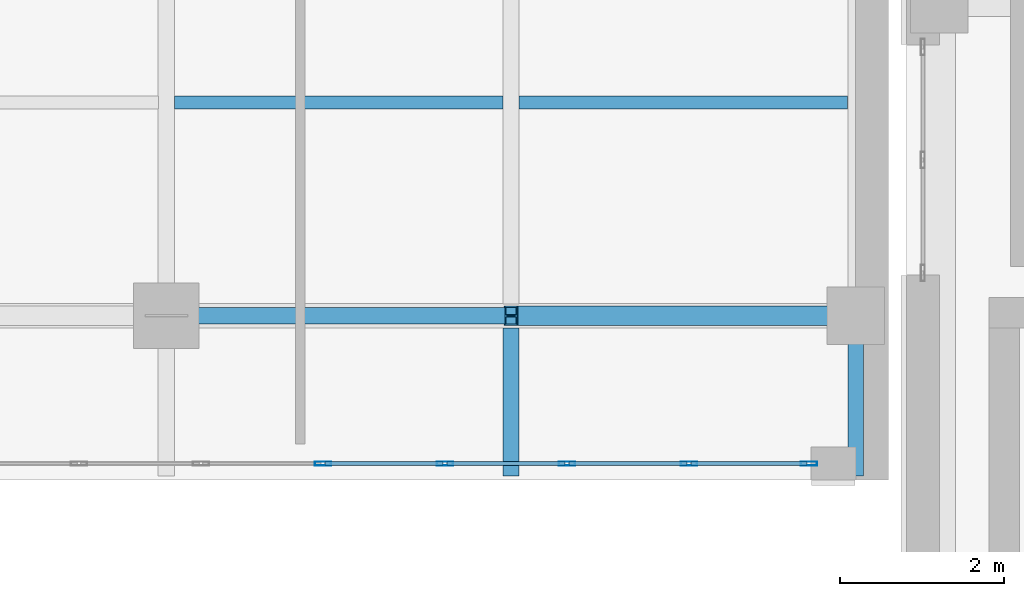
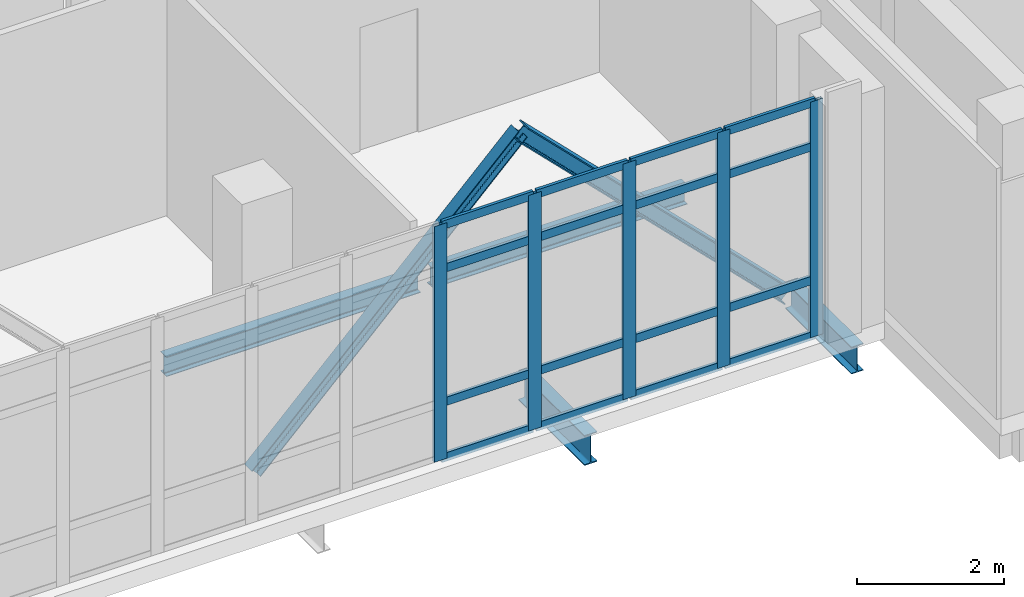
# One storey, part 7 of 158: 23 members, 4 beams, 1 element without a shape of its own.
"""IFC4 building model written with IfcOpenShell, lengths in metres."""

from ifc_helpers import new_model, si_unit, direction, frame, origin, origin_2d, place, context, subcontext, project, spatial, hollow_rectangle, i_section, extrude, material, layer, layer_set, material_profile, profile_set, type_object, element, aggregate, save


model = new_model("IFC4")

# Units and contexts
model_context = context("Model", 3, precision=1e-05, world=origin(), true_north=direction((0.0, 1.0)))
body_context = subcontext(model_context, "Body", "Model", "MODEL_VIEW")
ifc_project = project(units=[si_unit("LENGTHUNIT", "METRE"), si_unit("AREAUNIT", "SQUARE_METRE"), si_unit("VOLUMEUNIT", "CUBIC_METRE"), si_unit("PLANEANGLEUNIT", "RADIAN"), si_unit("MASSUNIT", "GRAM", prefix="KILO")], contexts=[model_context])

# Site, building, storey
site_placement = place(None, origin())
site = spatial("IfcSite", under=ifc_project, at=site_placement, CompositionType="ELEMENT")
building_placement = place(site_placement, origin())
building = spatial("IfcBuilding", under=site, at=building_placement, Name="Qalavern Law Courts", CompositionType="ELEMENT")
storey_placement = place(building_placement, frame((0.0, 0.0, 18.60009765625)))
storey = spatial("IfcBuildingStorey", under=building, at=storey_placement, Name="L04", CompositionType="ELEMENT", Elevation=18.60009765625)

# Curtain wall, members
ifc_material_1 = material(Name="Anodised aluminium and insulated glazing", Category="aluminium")
ifc_layer = layer(ifc_material_1, 0.199951171875)
ifc_layer_set = layer_set([ifc_layer], Name="Anodised aluminium and insulated glazing")
curtain_wall_type = type_object("IfcCurtainWallType", Name="ENV-CW-FOYER", PredefinedType="USERDEFINED", material=ifc_layer_set)
curtain_wall_placement = place(storey_placement, origin())
curtain_wall = element("IfcCurtainWall", 1, at=curtain_wall_placement, inside=storey, type_object=curtain_wall_type, Name="V1 unitised curtain wall L04 south 1", ObjectType="UNITISED CURTAIN WALL", PredefinedType="USERDEFINED")
ifc_material_2 = material(Name="Anodised aluminium", Category="aluminium")
ifc_material_profile_1 = material_profile(ifc_material_2, hollow_rectangle(XDim=0.048095703125, YDim=0.199951171875, WallThickness=0.00439453125, at=origin_2d()), Name="ALU MULLION 48x200")
ifc_profile_set_1 = profile_set([ifc_material_profile_1], Name="Anodised aluminium")
member_type_1 = type_object("IfcMemberType", Name="ENV-CWM-48x200", PredefinedType="MULLION", material=ifc_profile_set_1)
member_1_placement = place(storey_placement, frame((27.1083984375, 8.199951171875, 0.0), z_axis=(0.0, 0.0, 1.0), x_axis=(0.0, 1.0, 0.0)))
member_1 = element("IfcMember", 2, at=member_1_placement, type_object=member_type_1, Name="CW-01 mullion 15", PredefinedType="MULLION", context=body_context, shape_type="SweptSolid", body=[
    extrude(hollow_rectangle(XDim=0.048095703125, YDim=0.199951171875, WallThickness=0.00439453125, at=origin_2d()), origin(), (0.0, 0.0, 1.0), 3.9248046875),
])
member_2_placement = place(storey_placement, frame((28.594970703125, 8.199951171875, 0.0), z_axis=(0.0, 0.0, 1.0), x_axis=(0.0, 1.0, 0.0)))
member_2 = element("IfcMember", 3, at=member_2_placement, type_object=member_type_1, Name="CW-01 mullion 16", PredefinedType="MULLION", context=body_context, shape_type="SweptSolid", body=[
    extrude(hollow_rectangle(XDim=0.048095703125, YDim=0.199951171875, WallThickness=0.00439453125, at=origin_2d()), origin(), (0.0, 0.0, 1.0), 3.9248046875),
])
member_3_placement = place(storey_placement, frame((30.081787109375, 8.199951171875, 0.0), z_axis=(0.0, 0.0, 1.0), x_axis=(0.0, 1.0, 0.0)))
member_3 = element("IfcMember", 4, at=member_3_placement, type_object=member_type_1, Name="CW-01 mullion 17", PredefinedType="MULLION", context=body_context, shape_type="SweptSolid", body=[
    extrude(hollow_rectangle(XDim=0.048095703125, YDim=0.199951171875, WallThickness=0.00439453125, at=origin_2d()), origin(), (0.0, 0.0, 1.0), 3.9248046875),
])
member_4_placement = place(storey_placement, frame((31.568359375, 8.199951171875, 0.0), z_axis=(0.0, 0.0, 1.0), x_axis=(0.0, 1.0, 0.0)))
member_4 = element("IfcMember", 5, at=member_4_placement, type_object=member_type_1, Name="CW-01 mullion 18", PredefinedType="MULLION", context=body_context, shape_type="SweptSolid", body=[
    extrude(hollow_rectangle(XDim=0.048095703125, YDim=0.199951171875, WallThickness=0.00439453125, at=origin_2d()), origin(), (0.0, 0.0, 1.0), 3.9248046875),
])
member_5_placement = place(storey_placement, frame((33.031005859375, 8.199951171875, 0.0), z_axis=(0.0, 0.0, 1.0), x_axis=(0.0, 1.0, 0.0)))
member_5 = element("IfcMember", 6, at=member_5_placement, type_object=member_type_1, Name="CW-01 mullion 19", PredefinedType="MULLION", context=body_context, shape_type="SweptSolid", body=[
    extrude(hollow_rectangle(XDim=0.048095703125, YDim=0.199951171875, WallThickness=0.00439453125, at=origin_2d()), origin(), (0.0, 0.0, 1.0), 3.9248046875),
])
ifc_material_profile_2 = material_profile(ifc_material_2, hollow_rectangle(XDim=0.048095703125, YDim=0.139892578125, WallThickness=0.00390625, at=origin_2d()), Name="ALU TRANSOM 48x140")
ifc_profile_set_2 = profile_set([ifc_material_profile_2], Name="Anodised aluminium")
member_type_2 = type_object("IfcMemberType", Name="ENV-CWT-48x140", PredefinedType="USERDEFINED", material=ifc_profile_set_2)
member_6_placement = place(storey_placement, frame((27.13232421875, 8.199951171875, 0.02392578125), z_axis=(1.0, 0.0, 0.0), x_axis=(0.0, 1.0, 0.0)))
member_6 = element("IfcMember", 7, at=member_6_placement, type_object=member_type_2, Name="CW-01 transom 15.1", ObjectType="TRANSOM", PredefinedType="USERDEFINED", context=body_context, shape_type="SweptSolid", body=[
    extrude(hollow_rectangle(XDim=0.048095703125, YDim=0.139892578125, WallThickness=0.00390625, at=origin_2d()), origin(), (0.0, 0.0, 1.0), 1.438720703125),
])
member_7_placement = place(storey_placement, frame((27.13232421875, 8.199951171875, 0.949951171875), z_axis=(1.0, 0.0, 0.0), x_axis=(0.0, 1.0, 0.0)))
member_7 = element("IfcMember", 8, at=member_7_placement, type_object=member_type_2, Name="CW-01 transom 15.2", ObjectType="TRANSOM", PredefinedType="USERDEFINED", context=body_context, shape_type="SweptSolid", body=[
    extrude(hollow_rectangle(XDim=0.048095703125, YDim=0.139892578125, WallThickness=0.00390625, at=origin_2d()), origin(), (0.0, 0.0, 1.0), 1.438720703125),
])
member_8_placement = place(storey_placement, frame((27.13232421875, 8.199951171875, 3.1748046875), z_axis=(1.0, 0.0, 0.0), x_axis=(0.0, 1.0, 0.0)))
member_8 = element("IfcMember", 9, at=member_8_placement, type_object=member_type_2, Name="CW-01 transom 15.3", ObjectType="TRANSOM", PredefinedType="USERDEFINED", context=body_context, shape_type="SweptSolid", body=[
    extrude(hollow_rectangle(XDim=0.048095703125, YDim=0.139892578125, WallThickness=0.00390625, at=origin_2d()), origin(), (0.0, 0.0, 1.0), 1.438720703125),
])
member_9_placement = place(storey_placement, frame((27.13232421875, 8.199951171875, 3.90087890625), z_axis=(1.0, 0.0, 0.0), x_axis=(0.0, 1.0, 0.0)))
member_9 = element("IfcMember", 10, at=member_9_placement, type_object=member_type_2, Name="CW-01 transom 15.4", ObjectType="TRANSOM", PredefinedType="USERDEFINED", context=body_context, shape_type="SweptSolid", body=[
    extrude(hollow_rectangle(XDim=0.048095703125, YDim=0.139892578125, WallThickness=0.00390625, at=origin_2d()), origin(), (0.0, 0.0, 1.0), 1.438720703125),
])
member_10_placement = place(storey_placement, frame((28.618896484375, 8.199951171875, 0.02392578125), z_axis=(1.0, 0.0, 0.0), x_axis=(0.0, 1.0, 0.0)))
member_10 = element("IfcMember", 11, at=member_10_placement, type_object=member_type_2, Name="CW-01 transom 16.1", ObjectType="TRANSOM", PredefinedType="USERDEFINED", context=body_context, shape_type="SweptSolid", body=[
    extrude(hollow_rectangle(XDim=0.048095703125, YDim=0.139892578125, WallThickness=0.00390625, at=origin_2d()), origin(), (0.0, 0.0, 1.0), 1.438720703125),
])
member_11_placement = place(storey_placement, frame((28.618896484375, 8.199951171875, 0.949951171875), z_axis=(1.0, 0.0, 0.0), x_axis=(0.0, 1.0, 0.0)))
member_11 = element("IfcMember", 12, at=member_11_placement, type_object=member_type_2, Name="CW-01 transom 16.2", ObjectType="TRANSOM", PredefinedType="USERDEFINED", context=body_context, shape_type="SweptSolid", body=[
    extrude(hollow_rectangle(XDim=0.048095703125, YDim=0.139892578125, WallThickness=0.00390625, at=origin_2d()), origin(), (0.0, 0.0, 1.0), 1.438720703125),
])
member_12_placement = place(storey_placement, frame((28.618896484375, 8.199951171875, 3.1748046875), z_axis=(1.0, 0.0, 0.0), x_axis=(0.0, 1.0, 0.0)))
member_12 = element("IfcMember", 13, at=member_12_placement, type_object=member_type_2, Name="CW-01 transom 16.3", ObjectType="TRANSOM", PredefinedType="USERDEFINED", context=body_context, shape_type="SweptSolid", body=[
    extrude(hollow_rectangle(XDim=0.048095703125, YDim=0.139892578125, WallThickness=0.00390625, at=origin_2d()), origin(), (0.0, 0.0, 1.0), 1.438720703125),
])
member_13_placement = place(storey_placement, frame((28.618896484375, 8.199951171875, 3.90087890625), z_axis=(1.0, 0.0, 0.0), x_axis=(0.0, 1.0, 0.0)))
member_13 = element("IfcMember", 14, at=member_13_placement, type_object=member_type_2, Name="CW-01 transom 16.4", ObjectType="TRANSOM", PredefinedType="USERDEFINED", context=body_context, shape_type="SweptSolid", body=[
    extrude(hollow_rectangle(XDim=0.048095703125, YDim=0.139892578125, WallThickness=0.00390625, at=origin_2d()), origin(), (0.0, 0.0, 1.0), 1.438720703125),
])
member_14_placement = place(storey_placement, frame((30.105712890625, 8.199951171875, 0.02392578125), z_axis=(1.0, 0.0, 0.0), x_axis=(0.0, 1.0, 0.0)))
member_14 = element("IfcMember", 15, at=member_14_placement, type_object=member_type_2, Name="CW-01 transom 17.1", ObjectType="TRANSOM", PredefinedType="USERDEFINED", context=body_context, shape_type="SweptSolid", body=[
    extrude(hollow_rectangle(XDim=0.048095703125, YDim=0.139892578125, WallThickness=0.00390625, at=origin_2d()), origin(), (0.0, 0.0, 1.0), 1.438720703125),
])
member_15_placement = place(storey_placement, frame((30.105712890625, 8.199951171875, 0.949951171875), z_axis=(1.0, 0.0, 0.0), x_axis=(0.0, 1.0, 0.0)))
member_15 = element("IfcMember", 16, at=member_15_placement, type_object=member_type_2, Name="CW-01 transom 17.2", ObjectType="TRANSOM", PredefinedType="USERDEFINED", context=body_context, shape_type="SweptSolid", body=[
    extrude(hollow_rectangle(XDim=0.048095703125, YDim=0.139892578125, WallThickness=0.00390625, at=origin_2d()), origin(), (0.0, 0.0, 1.0), 1.438720703125),
])
member_16_placement = place(storey_placement, frame((30.105712890625, 8.199951171875, 3.1748046875), z_axis=(1.0, 0.0, 0.0), x_axis=(0.0, 1.0, 0.0)))
member_16 = element("IfcMember", 17, at=member_16_placement, type_object=member_type_2, Name="CW-01 transom 17.3", ObjectType="TRANSOM", PredefinedType="USERDEFINED", context=body_context, shape_type="SweptSolid", body=[
    extrude(hollow_rectangle(XDim=0.048095703125, YDim=0.139892578125, WallThickness=0.00390625, at=origin_2d()), origin(), (0.0, 0.0, 1.0), 1.438720703125),
])
member_17_placement = place(storey_placement, frame((30.105712890625, 8.199951171875, 3.90087890625), z_axis=(1.0, 0.0, 0.0), x_axis=(0.0, 1.0, 0.0)))
member_17 = element("IfcMember", 18, at=member_17_placement, type_object=member_type_2, Name="CW-01 transom 17.4", ObjectType="TRANSOM", PredefinedType="USERDEFINED", context=body_context, shape_type="SweptSolid", body=[
    extrude(hollow_rectangle(XDim=0.048095703125, YDim=0.139892578125, WallThickness=0.00390625, at=origin_2d()), origin(), (0.0, 0.0, 1.0), 1.438720703125),
])
member_18_placement = place(storey_placement, frame((31.59228515625, 8.199951171875, 0.02392578125), z_axis=(1.0, 0.0, 0.0), x_axis=(0.0, 1.0, 0.0)))
member_18 = element("IfcMember", 19, at=member_18_placement, type_object=member_type_2, Name="CW-01 transom 18.1", ObjectType="TRANSOM", PredefinedType="USERDEFINED", context=body_context, shape_type="SweptSolid", body=[
    extrude(hollow_rectangle(XDim=0.048095703125, YDim=0.139892578125, WallThickness=0.00390625, at=origin_2d()), origin(), (0.0, 0.0, 1.0), 1.414794921875),
])
member_19_placement = place(storey_placement, frame((31.59228515625, 8.199951171875, 0.949951171875), z_axis=(1.0, 0.0, 0.0), x_axis=(0.0, 1.0, 0.0)))
member_19 = element("IfcMember", 20, at=member_19_placement, type_object=member_type_2, Name="CW-01 transom 18.2", ObjectType="TRANSOM", PredefinedType="USERDEFINED", context=body_context, shape_type="SweptSolid", body=[
    extrude(hollow_rectangle(XDim=0.048095703125, YDim=0.139892578125, WallThickness=0.00390625, at=origin_2d()), origin(), (0.0, 0.0, 1.0), 1.414794921875),
])
member_20_placement = place(storey_placement, frame((31.59228515625, 8.199951171875, 3.1748046875), z_axis=(1.0, 0.0, 0.0), x_axis=(0.0, 1.0, 0.0)))
member_20 = element("IfcMember", 21, at=member_20_placement, type_object=member_type_2, Name="CW-01 transom 18.3", ObjectType="TRANSOM", PredefinedType="USERDEFINED", context=body_context, shape_type="SweptSolid", body=[
    extrude(hollow_rectangle(XDim=0.048095703125, YDim=0.139892578125, WallThickness=0.00390625, at=origin_2d()), origin(), (0.0, 0.0, 1.0), 1.414794921875),
])
member_21_placement = place(storey_placement, frame((31.59228515625, 8.199951171875, 3.90087890625), z_axis=(1.0, 0.0, 0.0), x_axis=(0.0, 1.0, 0.0)))
member_21 = element("IfcMember", 22, at=member_21_placement, type_object=member_type_2, Name="CW-01 transom 18.4", ObjectType="TRANSOM", PredefinedType="USERDEFINED", context=body_context, shape_type="SweptSolid", body=[
    extrude(hollow_rectangle(XDim=0.048095703125, YDim=0.139892578125, WallThickness=0.00390625, at=origin_2d()), origin(), (0.0, 0.0, 1.0), 1.414794921875),
])
aggregate(curtain_wall, [member_1, member_2, member_3, member_4, member_5, member_6, member_7, member_8, member_9, member_10, member_11, member_12, member_13, member_14, member_15, member_16, member_17, member_18, member_19, member_20, member_21])

# Beam
ifc_material_3 = material(Name="Steel S355", Category="steel")
ifc_material_profile_3 = material_profile(ifc_material_3, i_section(OverallWidth=0.199951171875, OverallDepth=0.5, WebThickness=0.01025390625, FlangeThickness=0.01611328125, FilletRadius=0.02099609375, at=origin_2d()), Name="IPE 500")
ifc_profile_set_3 = profile_set([ifc_material_profile_3], Name="Steel S355")
beam_type_1 = type_object("IfcBeamType", Name="STR-BM-IPE500", PredefinedType="BEAM", material=ifc_profile_set_3)
beam_1_placement = place(storey_placement, frame((29.39990234375, 8.050048828125, -0.530029296875), z_axis=(0.0, 1.0, 0.0), x_axis=(-1.0, 0.0, 0.0)))
element("IfcBeam", 23, at=beam_1_placement, inside=storey, type_object=beam_type_1, Name="Foyer transverse beam L04-2.1", PredefinedType="BEAM", context=body_context, shape_type="SweptSolid", body=[
    extrude(i_section(OverallWidth=0.199951171875, OverallDepth=0.5, WebThickness=0.01025390625, FlangeThickness=0.01611328125, FilletRadius=0.02099609375, at=origin_2d()), origin(), (0.0, 0.0, 1.0), 1.802001953125),
])

# Members
ifc_material_profile_4 = material_profile(ifc_material_3, i_section(OverallWidth=0.199951171875, OverallDepth=0.199951171875, WebThickness=0.009033203125, FlangeThickness=0.014892578125, FilletRadius=0.01806640625, at=origin_2d()), Name="HEB 200")
ifc_profile_set_4 = profile_set([ifc_material_profile_4], Name="Steel S355")
member_type_3 = type_object("IfcMemberType", Name="STR-BR-HEB200", PredefinedType="BRACE", material=ifc_profile_set_4)
member_22_placement = place(storey_placement, frame((29.39990234375, 10.0, 3.578857421875), z_axis=(-0.708464501441, 0.0, -0.705746448945), x_axis=(0.0, -1.0, 0.0)))
element("IfcMember", 24, at=member_22_placement, inside=storey, type_object=member_type_3, Name="Cantilever truss T1 diagonal L04-2", PredefinedType="BRACE", context=body_context, shape_type="SweptSolid", body=[
    extrude(i_section(OverallWidth=0.199951171875, OverallDepth=0.199951171875, WebThickness=0.009033203125, FlangeThickness=0.014892578125, FilletRadius=0.01806640625, at=origin_2d()), origin(), (0.0, 0.0, 1.0), 5.92822265625),
])
ifc_material_profile_5 = material_profile(ifc_material_3, i_section(OverallWidth=0.239990234375, OverallDepth=0.239990234375, WebThickness=0.010009765625, FlangeThickness=0.01708984375, FilletRadius=0.02099609375, at=origin_2d()), Name="HEB 240")
ifc_profile_set_5 = profile_set([ifc_material_profile_5], Name="Steel S355")
member_type_4 = type_object("IfcMemberType", Name="STR-BR-HEB240", PredefinedType="BRACE", material=ifc_profile_set_5)
member_23_placement = place(storey_placement, frame((33.60009765625, 10.0, -0.60498046875), z_axis=(-0.708485012699, 0.0, 0.705725858093), x_axis=(0.0, -1.0, 0.0)))
element("IfcMember", 25, at=member_23_placement, inside=storey, type_object=member_type_4, Name="Cantilever truss T1 diagonal L04-1", PredefinedType="BRACE", context=body_context, shape_type="SweptSolid", body=[
    extrude(i_section(OverallWidth=0.239990234375, OverallDepth=0.239990234375, WebThickness=0.010009765625, FlangeThickness=0.01708984375, FilletRadius=0.02099609375, at=origin_2d()), origin(), (0.0, 0.0, 1.0), 5.928466796875),
])

# Beams
ifc_material_profile_6 = material_profile(ifc_material_3, i_section(OverallWidth=0.159912109375, OverallDepth=0.330078125, WebThickness=0.007568359375, FlangeThickness=0.011474609375, FilletRadius=0.01806640625, at=origin_2d()), Name="IPE 330")
ifc_profile_set_6 = profile_set([ifc_material_profile_6], Name="Steel S355")
beam_type_2 = type_object("IfcBeamType", Name="STR-JST-IPE330", PredefinedType="JOIST", material=ifc_profile_set_6)
for number, where, z_axis, x_axis, name in (
    (26, (29.498046875, 12.60009765625, -0.445068359375), (1.0, 0.0, 0.0), (0.0, 1.0, 0.0), "Foyer floor joist L04-1.1"),
    (27, (25.298095703125, 12.60009765625, -0.445068359375), (1.0, 0.0, 0.0), (0.0, 1.0, 0.0), "Foyer floor joist L04-2.1"),
):
    element("IfcBeam", number, at=place(storey_placement, frame(where, z_axis=z_axis, x_axis=x_axis)), inside=storey, type_object=beam_type_2, Name=name, PredefinedType="JOIST", context=body_context, shape_type="SweptSolid", body=[
        extrude(i_section(OverallWidth=0.159912109375, OverallDepth=0.330078125, WebThickness=0.007568359375, FlangeThickness=0.011474609375, FilletRadius=0.01806640625, at=origin_2d()), origin(), (0.0, 0.0, 1.0), 4.00390625),
    ])
ifc_material_profile_7 = material_profile(ifc_material_3, i_section(OverallWidth=0.18994140625, OverallDepth=0.449951171875, WebThickness=0.009521484375, FlangeThickness=0.0146484375, FilletRadius=0.02099609375, at=origin_2d()), Name="IPE 450")
ifc_profile_set_7 = profile_set([ifc_material_profile_7], Name="Steel S355")
beam_type_3 = type_object("IfcBeamType", Name="STR-SP-IPE450", PredefinedType="SPANDREL", material=ifc_profile_set_7)
beam_2_placement = place(storey_placement, frame((33.60009765625, 8.050048828125, -0.505126953125), z_axis=(0.0, 1.0, 0.0), x_axis=(-1.0, 0.0, 0.0)))
element("IfcBeam", 28, at=beam_2_placement, inside=storey, type_object=beam_type_3, Name="Foyer transverse beam L04-1.1", PredefinedType="SPANDREL", context=body_context, shape_type="SweptSolid", body=[
    extrude(i_section(OverallWidth=0.18994140625, OverallDepth=0.449951171875, WebThickness=0.009521484375, FlangeThickness=0.0146484375, FilletRadius=0.02099609375, at=origin_2d()), origin(), (0.0, 0.0, 1.0), 1.802001953125),
])

save(model, "model.ifc")
